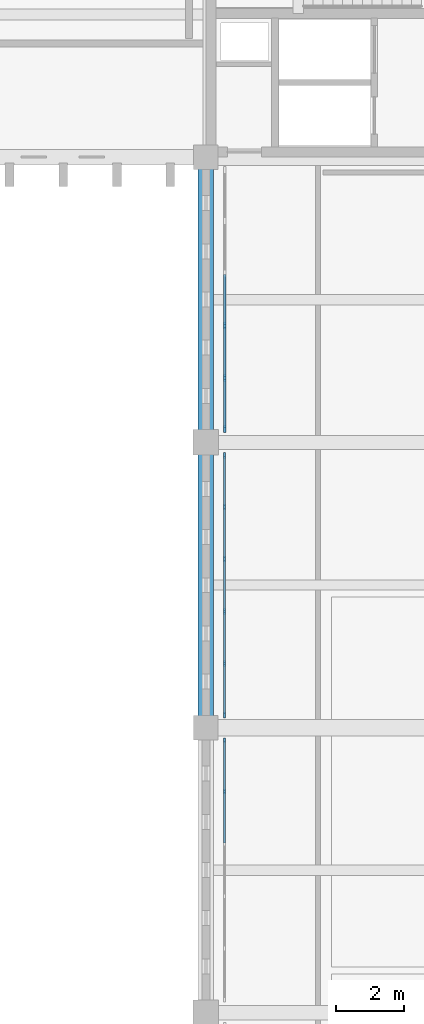
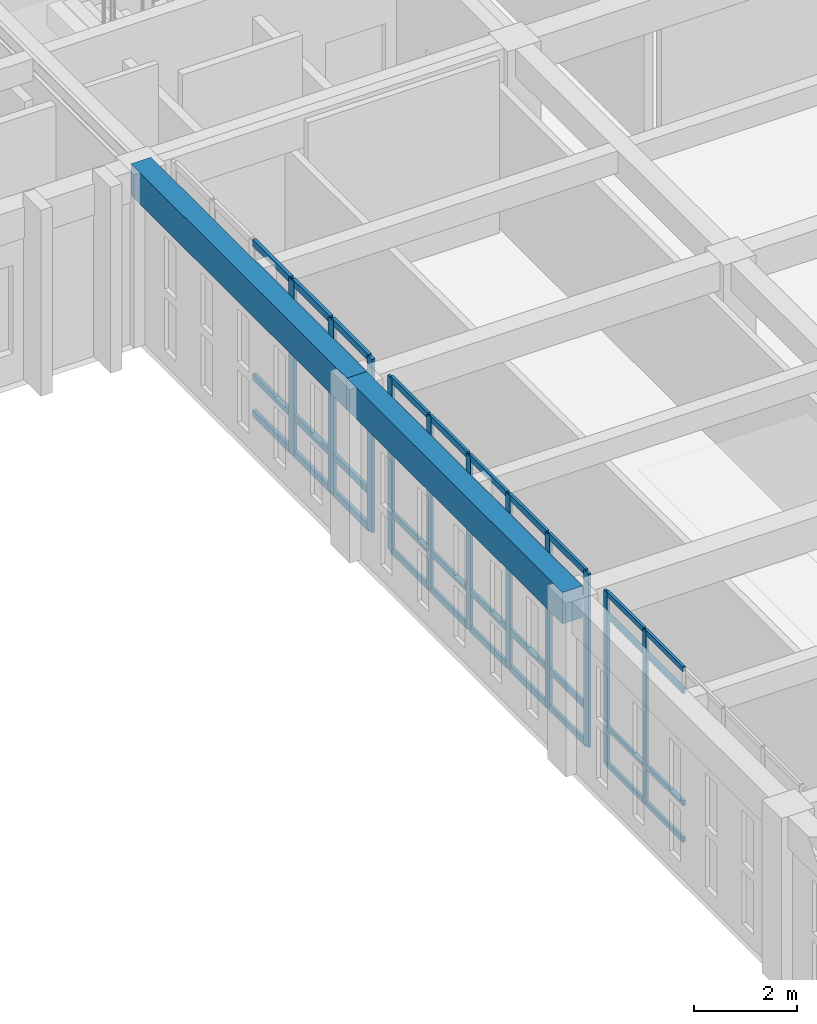
# One storey, part 92 of 192: 51 members, 2 beams, 3 elements without a shape of their own.
"""IFC4 building model written with IfcOpenShell, lengths in metres."""

from ifc_helpers import new_model, si_unit, direction, frame, origin, origin_2d, place, context, subcontext, project, spatial, rectangle, extrude, material, layer, layer_set, material_profile, profile_set, type_object, element, aggregate, save


model = new_model("IFC4")

# Units and contexts
model_context = context("Model", 3, precision=1e-05, world=origin(), true_north=direction((0.0, 1.0)))
body_context = subcontext(model_context, "Body", "Model", "MODEL_VIEW")
ifc_project = project(units=[si_unit("LENGTHUNIT", "METRE"), si_unit("AREAUNIT", "SQUARE_METRE"), si_unit("VOLUMEUNIT", "CUBIC_METRE"), si_unit("PLANEANGLEUNIT", "RADIAN"), si_unit("MASSUNIT", "GRAM", prefix="KILO")], contexts=[model_context])

# Site, building, storey
site_placement = place(None, origin())
site = spatial("IfcSite", under=ifc_project, at=site_placement, CompositionType="ELEMENT")
building_placement = place(site_placement, origin())
building = spatial("IfcBuilding", under=site, at=building_placement, Name="Kveldsbrygga Polytechnic", CompositionType="ELEMENT")
storey_placement = place(building_placement, frame((0.0, 0.0, 5.43994140625)))
storey = spatial("IfcBuildingStorey", under=building, at=storey_placement, Name="L01", CompositionType="ELEMENT", Elevation=5.43994140625)

# Beams
ifc_material_1 = material(Name="Concrete C35/45", Category="concrete")
ifc_material_profile_1 = material_profile(ifc_material_1, rectangle(XDim=0.449951171875, YDim=0.75, at=origin_2d()), Name="RC 450x750")
ifc_profile_set_1 = profile_set([ifc_material_profile_1], Name="Concrete C35/45")
beam_type = type_object("IfcBeamType", Name="BM-RC-450x750", PredefinedType="BEAM", material=ifc_profile_set_1)
beam_1_placement = place(storey_placement, frame((126.0, 67.199951171875, 3.7451171875), z_axis=(0.0, 1.0, 0.0), x_axis=(-1.0, 0.0, 0.0)))
element("IfcBeam", 1, at=beam_1_placement, inside=storey, type_object=beam_type, Name="Primary Beam BMY-L01-15-08to09", PredefinedType="BEAM", context=body_context, shape_type="SweptSolid", body=[
    extrude(rectangle(XDim=0.449951171875, YDim=0.75, at=origin_2d()), origin(), (0.0, 0.0, 1.0), 8.400146484375),
])
beam_2_placement = place(storey_placement, frame((126.0, 75.60009765625, 3.7451171875), z_axis=(0.0, 1.0, 0.0), x_axis=(-1.0, 0.0, 0.0)))
element("IfcBeam", 2, at=beam_2_placement, inside=storey, type_object=beam_type, Name="Primary Beam BMY-L01-15-09to10", PredefinedType="BEAM", context=body_context, shape_type="SweptSolid", body=[
    extrude(rectangle(XDim=0.449951171875, YDim=0.75, at=origin_2d()), origin(), (0.0, 0.0, 1.0), 8.39990234375),
])

# Curtain wall, members
ifc_material_2 = material(Name="Anodised aluminium AW-6060", Category="aluminium")
ifc_layer_1 = layer(ifc_material_2, 0.179931640625)
ifc_layer_set_1 = layer_set([ifc_layer_1], Name="Anodised aluminium AW-6060")
curtain_wall_type_1 = type_object("IfcCurtainWallType", Name="CW-CONC-A", PredefinedType="USERDEFINED", material=ifc_layer_set_1)
curtain_wall_1_placement = place(storey_placement, origin())
curtain_wall_1 = element("IfcCurtainWall", 3, at=curtain_wall_1_placement, inside=storey, type_object=curtain_wall_type_1, Name="Curtain Wall CW-L01-Y-15-07", ObjectType="UNITISED CURTAIN WALL", PredefinedType="USERDEFINED")
ifc_material_profile_2 = material_profile(ifc_material_2, rectangle(XDim=0.06005859375, YDim=0.139892578125, at=origin_2d()), Name="ALU 60x140")
ifc_profile_set_2 = profile_set([ifc_material_profile_2], Name="Anodised aluminium AW-6060")
member_type_1 = type_object("IfcMemberType", Name="CW-MUL-140", PredefinedType="MULLION", material=ifc_profile_set_2)
member_1_placement = place(storey_placement, frame((126.550048828125, 65.31591796875, 0.0), z_axis=(0.0, 0.0, 1.0), x_axis=(-1.0, 0.0, 0.0)))
member_1 = element("IfcMember", 4, at=member_1_placement, type_object=member_type_1, Name="CW-01 mullion 5", PredefinedType="MULLION", context=body_context, shape_type="SweptSolid", body=[
    extrude(rectangle(XDim=0.06005859375, YDim=0.139892578125, at=origin_2d()), origin(), (0.0, 0.0, 1.0), 4.1201171875),
])
member_2_placement = place(storey_placement, frame((126.550048828125, 66.824951171875, 0.0), z_axis=(0.0, 0.0, 1.0), x_axis=(-1.0, 0.0, 0.0)))
member_2 = element("IfcMember", 5, at=member_2_placement, type_object=member_type_1, Name="CW-01 mullion 6", PredefinedType="MULLION", context=body_context, shape_type="SweptSolid", body=[
    extrude(rectangle(XDim=0.06005859375, YDim=0.139892578125, at=origin_2d()), origin(), (0.0, 0.0, 1.0), 4.1201171875),
])

ifc_layer_2 = layer(ifc_material_2, 0.199951171875)
ifc_layer_set_2 = layer_set([ifc_layer_2], Name="Anodised aluminium AW-6060")
curtain_wall_type_2 = type_object("IfcCurtainWallType", Name="CW-CONC-B", PredefinedType="USERDEFINED", material=ifc_layer_set_2)
curtain_wall_2_placement = place(storey_placement, origin())
curtain_wall_2 = element("IfcCurtainWall", 6, at=curtain_wall_2_placement, inside=storey, type_object=curtain_wall_type_2, Name="Curtain Wall CW-L01-Y-15-08", ObjectType="UNITISED CURTAIN WALL", PredefinedType="USERDEFINED")
ifc_material_profile_3 = material_profile(ifc_material_2, rectangle(XDim=0.06005859375, YDim=0.179931640625, at=origin_2d()), Name="ALU 60x180")
ifc_profile_set_3 = profile_set([ifc_material_profile_3], Name="Anodised aluminium AW-6060")
member_type_2 = type_object("IfcMemberType", Name="CW-MUL-180", PredefinedType="MULLION", material=ifc_profile_set_3)
member_3_placement = place(storey_placement, frame((126.550048828125, 67.574951171875, 0.0), z_axis=(0.0, 0.0, 1.0), x_axis=(-1.0, 0.0, 0.0)))
member_3 = element("IfcMember", 7, at=member_3_placement, type_object=member_type_2, Name="CW-02 mullion 1", PredefinedType="MULLION", context=body_context, shape_type="SweptSolid", body=[
    extrude(rectangle(XDim=0.06005859375, YDim=0.179931640625, at=origin_2d()), origin(), (0.0, 0.0, 1.0), 4.1201171875),
])
member_4_placement = place(storey_placement, frame((126.550048828125, 69.083984375, 0.0), z_axis=(0.0, 0.0, 1.0), x_axis=(-1.0, 0.0, 0.0)))
member_4 = element("IfcMember", 8, at=member_4_placement, type_object=member_type_2, Name="CW-02 mullion 2", PredefinedType="MULLION", context=body_context, shape_type="SweptSolid", body=[
    extrude(rectangle(XDim=0.06005859375, YDim=0.179931640625, at=origin_2d()), origin(), (0.0, 0.0, 1.0), 4.1201171875),
])
member_5_placement = place(storey_placement, frame((126.550048828125, 70.623046875, 0.0), z_axis=(0.0, 0.0, 1.0), x_axis=(-1.0, 0.0, 0.0)))
member_5 = element("IfcMember", 9, at=member_5_placement, type_object=member_type_2, Name="CW-02 mullion 3", PredefinedType="MULLION", context=body_context, shape_type="SweptSolid", body=[
    extrude(rectangle(XDim=0.06005859375, YDim=0.179931640625, at=origin_2d()), origin(), (0.0, 0.0, 1.0), 4.1201171875),
])
member_6_placement = place(storey_placement, frame((126.550048828125, 72.162109375, 0.0), z_axis=(0.0, 0.0, 1.0), x_axis=(-1.0, 0.0, 0.0)))
member_6 = element("IfcMember", 10, at=member_6_placement, type_object=member_type_2, Name="CW-02 mullion 4", PredefinedType="MULLION", context=body_context, shape_type="SweptSolid", body=[
    extrude(rectangle(XDim=0.06005859375, YDim=0.179931640625, at=origin_2d()), origin(), (0.0, 0.0, 1.0), 4.1201171875),
])
member_7_placement = place(storey_placement, frame((126.550048828125, 73.700927734375, 0.0), z_axis=(0.0, 0.0, 1.0), x_axis=(-1.0, 0.0, 0.0)))
member_7 = element("IfcMember", 11, at=member_7_placement, type_object=member_type_2, Name="CW-02 mullion 5", PredefinedType="MULLION", context=body_context, shape_type="SweptSolid", body=[
    extrude(rectangle(XDim=0.06005859375, YDim=0.179931640625, at=origin_2d()), origin(), (0.0, 0.0, 1.0), 4.1201171875),
])
member_8_placement = place(storey_placement, frame((126.550048828125, 75.2099609375, 0.0), z_axis=(0.0, 0.0, 1.0), x_axis=(-1.0, 0.0, 0.0)))
member_8 = element("IfcMember", 12, at=member_8_placement, type_object=member_type_2, Name="CW-02 mullion 6", PredefinedType="MULLION", context=body_context, shape_type="SweptSolid", body=[
    extrude(rectangle(XDim=0.06005859375, YDim=0.179931640625, at=origin_2d()), origin(), (0.0, 0.0, 1.0), 4.1201171875),
])

ifc_layer_3 = layer(ifc_material_2, 0.159912109375)
ifc_layer_set_3 = layer_set([ifc_layer_3], Name="Anodised aluminium AW-6060")
curtain_wall_type_3 = type_object("IfcCurtainWallType", Name="CW-CLER-C", PredefinedType="USERDEFINED", material=ifc_layer_set_3)
curtain_wall_3_placement = place(storey_placement, origin())
curtain_wall_3 = element("IfcCurtainWall", 13, at=curtain_wall_3_placement, inside=storey, type_object=curtain_wall_type_3, Name="Curtain Wall CW-L01-Y-15-09", ObjectType="STICK CURTAIN WALL", PredefinedType="USERDEFINED")
ifc_material_profile_4 = material_profile(ifc_material_2, rectangle(XDim=0.074951171875, YDim=0.199951171875, at=origin_2d()), Name="ALU 75x200")
ifc_profile_set_4 = profile_set([ifc_material_profile_4], Name="Anodised aluminium AW-6060")
member_type_3 = type_object("IfcMemberType", Name="CW-MUL-200", PredefinedType="MULLION", material=ifc_profile_set_4)
member_9_placement = place(storey_placement, frame((126.550048828125, 75.99755859375, 0.0), z_axis=(0.0, 0.0, 1.0), x_axis=(-1.0, 0.0, 0.0)))
member_9 = element("IfcMember", 14, at=member_9_placement, type_object=member_type_3, Name="CW-03 mullion 1", PredefinedType="MULLION", context=body_context, shape_type="SweptSolid", body=[
    extrude(rectangle(XDim=0.074951171875, YDim=0.199951171875, at=origin_2d()), origin(), (0.0, 0.0, 1.0), 4.1201171875),
])
member_10_placement = place(storey_placement, frame((126.550048828125, 77.4990234375, 0.0), z_axis=(0.0, 0.0, 1.0), x_axis=(-1.0, 0.0, 0.0)))
member_10 = element("IfcMember", 15, at=member_10_placement, type_object=member_type_3, Name="CW-03 mullion 2", PredefinedType="MULLION", context=body_context, shape_type="SweptSolid", body=[
    extrude(rectangle(XDim=0.074951171875, YDim=0.199951171875, at=origin_2d()), origin(), (0.0, 0.0, 1.0), 4.1201171875),
])
member_11_placement = place(storey_placement, frame((126.550048828125, 79.0380859375, 0.0), z_axis=(0.0, 0.0, 1.0), x_axis=(-1.0, 0.0, 0.0)))
member_11 = element("IfcMember", 16, at=member_11_placement, type_object=member_type_3, Name="CW-03 mullion 3", PredefinedType="MULLION", context=body_context, shape_type="SweptSolid", body=[
    extrude(rectangle(XDim=0.074951171875, YDim=0.199951171875, at=origin_2d()), origin(), (0.0, 0.0, 1.0), 4.1201171875),
])

# Member
ifc_material_profile_5 = material_profile(ifc_material_2, rectangle(XDim=0.06005859375, YDim=0.1201171875, at=origin_2d()), Name="ALU 60x120")
ifc_profile_set_5 = profile_set([ifc_material_profile_5], Name="Anodised aluminium AW-6060")
member_type_4 = type_object("IfcMemberType", Name="CW-TRN-120", PredefinedType="USERDEFINED", material=ifc_profile_set_5)
member_12_placement = place(storey_placement, frame((126.550048828125, 63.806884765625, 0.030029296875), z_axis=(0.0, 1.0, 0.0), x_axis=(-1.0, 0.0, 0.0)))
member_12 = element("IfcMember", 17, at=member_12_placement, type_object=member_type_4, Name="CW-01 transom 4.1", ObjectType="TRANSOM", PredefinedType="USERDEFINED", context=body_context, shape_type="SweptSolid", body=[
    extrude(rectangle(XDim=0.06005859375, YDim=0.1201171875, at=origin_2d()), origin(), (0.0, 0.0, 1.0), 1.47900390625),
])

member_13_placement = place(storey_placement, frame((126.550048828125, 63.806884765625, 0.900146484375), z_axis=(0.0, 1.0, 0.0), x_axis=(-1.0, 0.0, 0.0)))
member_13 = element("IfcMember", 18, at=member_13_placement, type_object=member_type_4, Name="CW-01 transom 4.2", ObjectType="TRANSOM", PredefinedType="USERDEFINED", context=body_context, shape_type="SweptSolid", body=[
    extrude(rectangle(XDim=0.06005859375, YDim=0.1201171875, at=origin_2d()), origin(), (0.0, 0.0, 1.0), 1.47900390625),
])

member_14_placement = place(storey_placement, frame((126.550048828125, 63.806884765625, 3.570068359375), z_axis=(0.0, 1.0, 0.0), x_axis=(-1.0, 0.0, 0.0)))
member_14 = element("IfcMember", 19, at=member_14_placement, type_object=member_type_4, Name="CW-01 transom 4.3", ObjectType="TRANSOM", PredefinedType="USERDEFINED", context=body_context, shape_type="SweptSolid", body=[
    extrude(rectangle(XDim=0.06005859375, YDim=0.1201171875, at=origin_2d()), origin(), (0.0, 0.0, 1.0), 1.47900390625),
])

member_15_placement = place(storey_placement, frame((126.550048828125, 63.806884765625, 4.090087890625), z_axis=(0.0, 1.0, 0.0), x_axis=(-1.0, 0.0, 0.0)))
member_15 = element("IfcMember", 20, at=member_15_placement, type_object=member_type_4, Name="CW-01 transom 4.4", ObjectType="TRANSOM", PredefinedType="USERDEFINED", context=body_context, shape_type="SweptSolid", body=[
    extrude(rectangle(XDim=0.06005859375, YDim=0.1201171875, at=origin_2d()), origin(), (0.0, 0.0, 1.0), 1.47900390625),
])

member_16_placement = place(storey_placement, frame((126.550048828125, 65.345947265625, 0.030029296875), z_axis=(0.0, 1.0, 0.0), x_axis=(-1.0, 0.0, 0.0)))
member_16 = element("IfcMember", 21, at=member_16_placement, type_object=member_type_4, Name="CW-01 transom 5.1", ObjectType="TRANSOM", PredefinedType="USERDEFINED", context=body_context, shape_type="SweptSolid", body=[
    extrude(rectangle(XDim=0.06005859375, YDim=0.1201171875, at=origin_2d()), origin(), (0.0, 0.0, 1.0), 1.448974609375),
])

member_17_placement = place(storey_placement, frame((126.550048828125, 65.345947265625, 0.900146484375), z_axis=(0.0, 1.0, 0.0), x_axis=(-1.0, 0.0, 0.0)))
member_17 = element("IfcMember", 22, at=member_17_placement, type_object=member_type_4, Name="CW-01 transom 5.2", ObjectType="TRANSOM", PredefinedType="USERDEFINED", context=body_context, shape_type="SweptSolid", body=[
    extrude(rectangle(XDim=0.06005859375, YDim=0.1201171875, at=origin_2d()), origin(), (0.0, 0.0, 1.0), 1.448974609375),
])

member_18_placement = place(storey_placement, frame((126.550048828125, 65.345947265625, 3.570068359375), z_axis=(0.0, 1.0, 0.0), x_axis=(-1.0, 0.0, 0.0)))
member_18 = element("IfcMember", 23, at=member_18_placement, type_object=member_type_4, Name="CW-01 transom 5.3", ObjectType="TRANSOM", PredefinedType="USERDEFINED", context=body_context, shape_type="SweptSolid", body=[
    extrude(rectangle(XDim=0.06005859375, YDim=0.1201171875, at=origin_2d()), origin(), (0.0, 0.0, 1.0), 1.448974609375),
])

member_19_placement = place(storey_placement, frame((126.550048828125, 65.345947265625, 4.090087890625), z_axis=(0.0, 1.0, 0.0), x_axis=(-1.0, 0.0, 0.0)))
member_19 = element("IfcMember", 24, at=member_19_placement, type_object=member_type_4, Name="CW-01 transom 5.4", ObjectType="TRANSOM", PredefinedType="USERDEFINED", context=body_context, shape_type="SweptSolid", body=[
    extrude(rectangle(XDim=0.06005859375, YDim=0.1201171875, at=origin_2d()), origin(), (0.0, 0.0, 1.0), 1.448974609375),
])

aggregate(curtain_wall_1, [member_1, member_2, member_12, member_13, member_14, member_15, member_16, member_17, member_18, member_19])

ifc_material_profile_6 = material_profile(ifc_material_2, rectangle(XDim=0.06005859375, YDim=0.14990234375, at=origin_2d()), Name="ALU 60x150")
ifc_profile_set_6 = profile_set([ifc_material_profile_6], Name="Anodised aluminium AW-6060")
member_type_5 = type_object("IfcMemberType", Name="CW-TRN-150", PredefinedType="USERDEFINED", material=ifc_profile_set_6)
member_20_placement = place(storey_placement, frame((126.550048828125, 67.60498046875, 0.030029296875), z_axis=(0.0, 1.0, 0.0), x_axis=(-1.0, 0.0, 0.0)))
member_20 = element("IfcMember", 25, at=member_20_placement, type_object=member_type_5, Name="CW-02 transom 1.1", ObjectType="TRANSOM", PredefinedType="USERDEFINED", context=body_context, shape_type="SweptSolid", body=[
    extrude(rectangle(XDim=0.06005859375, YDim=0.14990234375, at=origin_2d()), origin(), (0.0, 0.0, 1.0), 1.448974609375),
])

member_21_placement = place(storey_placement, frame((126.550048828125, 67.60498046875, 0.900146484375), z_axis=(0.0, 1.0, 0.0), x_axis=(-1.0, 0.0, 0.0)))
member_21 = element("IfcMember", 26, at=member_21_placement, type_object=member_type_5, Name="CW-02 transom 1.2", ObjectType="TRANSOM", PredefinedType="USERDEFINED", context=body_context, shape_type="SweptSolid", body=[
    extrude(rectangle(XDim=0.06005859375, YDim=0.14990234375, at=origin_2d()), origin(), (0.0, 0.0, 1.0), 1.448974609375),
])

member_22_placement = place(storey_placement, frame((126.550048828125, 67.60498046875, 3.570068359375), z_axis=(0.0, 1.0, 0.0), x_axis=(-1.0, 0.0, 0.0)))
member_22 = element("IfcMember", 27, at=member_22_placement, type_object=member_type_5, Name="CW-02 transom 1.3", ObjectType="TRANSOM", PredefinedType="USERDEFINED", context=body_context, shape_type="SweptSolid", body=[
    extrude(rectangle(XDim=0.06005859375, YDim=0.14990234375, at=origin_2d()), origin(), (0.0, 0.0, 1.0), 1.448974609375),
])

member_23_placement = place(storey_placement, frame((126.550048828125, 67.60498046875, 4.090087890625), z_axis=(0.0, 1.0, 0.0), x_axis=(-1.0, 0.0, 0.0)))
member_23 = element("IfcMember", 28, at=member_23_placement, type_object=member_type_5, Name="CW-02 transom 1.4", ObjectType="TRANSOM", PredefinedType="USERDEFINED", context=body_context, shape_type="SweptSolid", body=[
    extrude(rectangle(XDim=0.06005859375, YDim=0.14990234375, at=origin_2d()), origin(), (0.0, 0.0, 1.0), 1.448974609375),
])

member_24_placement = place(storey_placement, frame((126.550048828125, 69.114013671875, 0.030029296875), z_axis=(0.0, 1.0, 0.0), x_axis=(-1.0, 0.0, 0.0)))
member_24 = element("IfcMember", 29, at=member_24_placement, type_object=member_type_5, Name="CW-02 transom 2.1", ObjectType="TRANSOM", PredefinedType="USERDEFINED", context=body_context, shape_type="SweptSolid", body=[
    extrude(rectangle(XDim=0.06005859375, YDim=0.14990234375, at=origin_2d()), origin(), (0.0, 0.0, 1.0), 1.47900390625),
])

member_25_placement = place(storey_placement, frame((126.550048828125, 69.114013671875, 0.900146484375), z_axis=(0.0, 1.0, 0.0), x_axis=(-1.0, 0.0, 0.0)))
member_25 = element("IfcMember", 30, at=member_25_placement, type_object=member_type_5, Name="CW-02 transom 2.2", ObjectType="TRANSOM", PredefinedType="USERDEFINED", context=body_context, shape_type="SweptSolid", body=[
    extrude(rectangle(XDim=0.06005859375, YDim=0.14990234375, at=origin_2d()), origin(), (0.0, 0.0, 1.0), 1.47900390625),
])

member_26_placement = place(storey_placement, frame((126.550048828125, 69.114013671875, 3.570068359375), z_axis=(0.0, 1.0, 0.0), x_axis=(-1.0, 0.0, 0.0)))
member_26 = element("IfcMember", 31, at=member_26_placement, type_object=member_type_5, Name="CW-02 transom 2.3", ObjectType="TRANSOM", PredefinedType="USERDEFINED", context=body_context, shape_type="SweptSolid", body=[
    extrude(rectangle(XDim=0.06005859375, YDim=0.14990234375, at=origin_2d()), origin(), (0.0, 0.0, 1.0), 1.47900390625),
])

member_27_placement = place(storey_placement, frame((126.550048828125, 69.114013671875, 4.090087890625), z_axis=(0.0, 1.0, 0.0), x_axis=(-1.0, 0.0, 0.0)))
member_27 = element("IfcMember", 32, at=member_27_placement, type_object=member_type_5, Name="CW-02 transom 2.4", ObjectType="TRANSOM", PredefinedType="USERDEFINED", context=body_context, shape_type="SweptSolid", body=[
    extrude(rectangle(XDim=0.06005859375, YDim=0.14990234375, at=origin_2d()), origin(), (0.0, 0.0, 1.0), 1.47900390625),
])

member_28_placement = place(storey_placement, frame((126.550048828125, 70.653076171875, 0.030029296875), z_axis=(0.0, 1.0, 0.0), x_axis=(-1.0, 0.0, 0.0)))
member_28 = element("IfcMember", 33, at=member_28_placement, type_object=member_type_5, Name="CW-02 transom 3.1", ObjectType="TRANSOM", PredefinedType="USERDEFINED", context=body_context, shape_type="SweptSolid", body=[
    extrude(rectangle(XDim=0.06005859375, YDim=0.14990234375, at=origin_2d()), origin(), (0.0, 0.0, 1.0), 1.47900390625),
])

member_29_placement = place(storey_placement, frame((126.550048828125, 70.653076171875, 0.900146484375), z_axis=(0.0, 1.0, 0.0), x_axis=(-1.0, 0.0, 0.0)))
member_29 = element("IfcMember", 34, at=member_29_placement, type_object=member_type_5, Name="CW-02 transom 3.2", ObjectType="TRANSOM", PredefinedType="USERDEFINED", context=body_context, shape_type="SweptSolid", body=[
    extrude(rectangle(XDim=0.06005859375, YDim=0.14990234375, at=origin_2d()), origin(), (0.0, 0.0, 1.0), 1.47900390625),
])

member_30_placement = place(storey_placement, frame((126.550048828125, 70.653076171875, 3.570068359375), z_axis=(0.0, 1.0, 0.0), x_axis=(-1.0, 0.0, 0.0)))
member_30 = element("IfcMember", 35, at=member_30_placement, type_object=member_type_5, Name="CW-02 transom 3.3", ObjectType="TRANSOM", PredefinedType="USERDEFINED", context=body_context, shape_type="SweptSolid", body=[
    extrude(rectangle(XDim=0.06005859375, YDim=0.14990234375, at=origin_2d()), origin(), (0.0, 0.0, 1.0), 1.47900390625),
])

member_31_placement = place(storey_placement, frame((126.550048828125, 70.653076171875, 4.090087890625), z_axis=(0.0, 1.0, 0.0), x_axis=(-1.0, 0.0, 0.0)))
member_31 = element("IfcMember", 36, at=member_31_placement, type_object=member_type_5, Name="CW-02 transom 3.4", ObjectType="TRANSOM", PredefinedType="USERDEFINED", context=body_context, shape_type="SweptSolid", body=[
    extrude(rectangle(XDim=0.06005859375, YDim=0.14990234375, at=origin_2d()), origin(), (0.0, 0.0, 1.0), 1.47900390625),
])

member_32_placement = place(storey_placement, frame((126.550048828125, 72.19189453125, 0.030029296875), z_axis=(0.0, 1.0, 0.0), x_axis=(-1.0, 0.0, 0.0)))
member_32 = element("IfcMember", 37, at=member_32_placement, type_object=member_type_5, Name="CW-02 transom 4.1", ObjectType="TRANSOM", PredefinedType="USERDEFINED", context=body_context, shape_type="SweptSolid", body=[
    extrude(rectangle(XDim=0.06005859375, YDim=0.14990234375, at=origin_2d()), origin(), (0.0, 0.0, 1.0), 1.47900390625),
])

member_33_placement = place(storey_placement, frame((126.550048828125, 72.19189453125, 0.900146484375), z_axis=(0.0, 1.0, 0.0), x_axis=(-1.0, 0.0, 0.0)))
member_33 = element("IfcMember", 38, at=member_33_placement, type_object=member_type_5, Name="CW-02 transom 4.2", ObjectType="TRANSOM", PredefinedType="USERDEFINED", context=body_context, shape_type="SweptSolid", body=[
    extrude(rectangle(XDim=0.06005859375, YDim=0.14990234375, at=origin_2d()), origin(), (0.0, 0.0, 1.0), 1.47900390625),
])

member_34_placement = place(storey_placement, frame((126.550048828125, 72.19189453125, 3.570068359375), z_axis=(0.0, 1.0, 0.0), x_axis=(-1.0, 0.0, 0.0)))
member_34 = element("IfcMember", 39, at=member_34_placement, type_object=member_type_5, Name="CW-02 transom 4.3", ObjectType="TRANSOM", PredefinedType="USERDEFINED", context=body_context, shape_type="SweptSolid", body=[
    extrude(rectangle(XDim=0.06005859375, YDim=0.14990234375, at=origin_2d()), origin(), (0.0, 0.0, 1.0), 1.47900390625),
])

member_35_placement = place(storey_placement, frame((126.550048828125, 72.19189453125, 4.090087890625), z_axis=(0.0, 1.0, 0.0), x_axis=(-1.0, 0.0, 0.0)))
member_35 = element("IfcMember", 40, at=member_35_placement, type_object=member_type_5, Name="CW-02 transom 4.4", ObjectType="TRANSOM", PredefinedType="USERDEFINED", context=body_context, shape_type="SweptSolid", body=[
    extrude(rectangle(XDim=0.06005859375, YDim=0.14990234375, at=origin_2d()), origin(), (0.0, 0.0, 1.0), 1.47900390625),
])

member_36_placement = place(storey_placement, frame((126.550048828125, 73.73095703125, 0.030029296875), z_axis=(0.0, 1.0, 0.0), x_axis=(-1.0, 0.0, 0.0)))
member_36 = element("IfcMember", 41, at=member_36_placement, type_object=member_type_5, Name="CW-02 transom 5.1", ObjectType="TRANSOM", PredefinedType="USERDEFINED", context=body_context, shape_type="SweptSolid", body=[
    extrude(rectangle(XDim=0.06005859375, YDim=0.14990234375, at=origin_2d()), origin(), (0.0, 0.0, 1.0), 1.448974609375),
])

member_37_placement = place(storey_placement, frame((126.550048828125, 73.73095703125, 0.900146484375), z_axis=(0.0, 1.0, 0.0), x_axis=(-1.0, 0.0, 0.0)))
member_37 = element("IfcMember", 42, at=member_37_placement, type_object=member_type_5, Name="CW-02 transom 5.2", ObjectType="TRANSOM", PredefinedType="USERDEFINED", context=body_context, shape_type="SweptSolid", body=[
    extrude(rectangle(XDim=0.06005859375, YDim=0.14990234375, at=origin_2d()), origin(), (0.0, 0.0, 1.0), 1.448974609375),
])

member_38_placement = place(storey_placement, frame((126.550048828125, 73.73095703125, 3.570068359375), z_axis=(0.0, 1.0, 0.0), x_axis=(-1.0, 0.0, 0.0)))
member_38 = element("IfcMember", 43, at=member_38_placement, type_object=member_type_5, Name="CW-02 transom 5.3", ObjectType="TRANSOM", PredefinedType="USERDEFINED", context=body_context, shape_type="SweptSolid", body=[
    extrude(rectangle(XDim=0.06005859375, YDim=0.14990234375, at=origin_2d()), origin(), (0.0, 0.0, 1.0), 1.448974609375),
])

member_39_placement = place(storey_placement, frame((126.550048828125, 73.73095703125, 4.090087890625), z_axis=(0.0, 1.0, 0.0), x_axis=(-1.0, 0.0, 0.0)))
member_39 = element("IfcMember", 44, at=member_39_placement, type_object=member_type_5, Name="CW-02 transom 5.4", ObjectType="TRANSOM", PredefinedType="USERDEFINED", context=body_context, shape_type="SweptSolid", body=[
    extrude(rectangle(XDim=0.06005859375, YDim=0.14990234375, at=origin_2d()), origin(), (0.0, 0.0, 1.0), 1.448974609375),
])

aggregate(curtain_wall_2, [member_3, member_4, member_5, member_6, member_7, member_8, member_20, member_21, member_22, member_23, member_24, member_25, member_26, member_27, member_28, member_29, member_30, member_31, member_32, member_33, member_34, member_35, member_36, member_37, member_38, member_39])

ifc_material_profile_7 = material_profile(ifc_material_2, rectangle(XDim=0.074951171875, YDim=0.159912109375, at=origin_2d()), Name="ALU 75x160")
ifc_profile_set_7 = profile_set([ifc_material_profile_7], Name="Anodised aluminium AW-6060")
member_type_6 = type_object("IfcMemberType", Name="CW-TRN-160", PredefinedType="USERDEFINED", material=ifc_profile_set_7)
member_40_placement = place(storey_placement, frame((126.550048828125, 76.034912109375, 0.03759765625), z_axis=(0.0, 1.0, 0.0), x_axis=(-1.0, 0.0, 0.0)))
member_40 = element("IfcMember", 45, at=member_40_placement, type_object=member_type_6, Name="CW-03 transom 1.1", ObjectType="TRANSOM", PredefinedType="USERDEFINED", context=body_context, shape_type="SweptSolid", body=[
    extrude(rectangle(XDim=0.074951171875, YDim=0.159912109375, at=origin_2d()), origin(), (0.0, 0.0, 1.0), 1.426513671875),
])

member_41_placement = place(storey_placement, frame((126.550048828125, 76.034912109375, 0.900146484375), z_axis=(0.0, 1.0, 0.0), x_axis=(-1.0, 0.0, 0.0)))
member_41 = element("IfcMember", 46, at=member_41_placement, type_object=member_type_6, Name="CW-03 transom 1.2", ObjectType="TRANSOM", PredefinedType="USERDEFINED", context=body_context, shape_type="SweptSolid", body=[
    extrude(rectangle(XDim=0.074951171875, YDim=0.159912109375, at=origin_2d()), origin(), (0.0, 0.0, 1.0), 1.426513671875),
])

member_42_placement = place(storey_placement, frame((126.550048828125, 76.034912109375, 3.570068359375), z_axis=(0.0, 1.0, 0.0), x_axis=(-1.0, 0.0, 0.0)))
member_42 = element("IfcMember", 47, at=member_42_placement, type_object=member_type_6, Name="CW-03 transom 1.3", ObjectType="TRANSOM", PredefinedType="USERDEFINED", context=body_context, shape_type="SweptSolid", body=[
    extrude(rectangle(XDim=0.074951171875, YDim=0.159912109375, at=origin_2d()), origin(), (0.0, 0.0, 1.0), 1.426513671875),
])

member_43_placement = place(storey_placement, frame((126.550048828125, 76.034912109375, 4.08251953125), z_axis=(0.0, 1.0, 0.0), x_axis=(-1.0, 0.0, 0.0)))
member_43 = element("IfcMember", 48, at=member_43_placement, type_object=member_type_6, Name="CW-03 transom 1.4", ObjectType="TRANSOM", PredefinedType="USERDEFINED", context=body_context, shape_type="SweptSolid", body=[
    extrude(rectangle(XDim=0.074951171875, YDim=0.159912109375, at=origin_2d()), origin(), (0.0, 0.0, 1.0), 1.426513671875),
])

member_44_placement = place(storey_placement, frame((126.550048828125, 77.53662109375, 0.03759765625), z_axis=(0.0, 1.0, 0.0), x_axis=(-1.0, 0.0, 0.0)))
member_44 = element("IfcMember", 49, at=member_44_placement, type_object=member_type_6, Name="CW-03 transom 2.1", ObjectType="TRANSOM", PredefinedType="USERDEFINED", context=body_context, shape_type="SweptSolid", body=[
    extrude(rectangle(XDim=0.074951171875, YDim=0.159912109375, at=origin_2d()), origin(), (0.0, 0.0, 1.0), 1.4638671875),
])

member_45_placement = place(storey_placement, frame((126.550048828125, 77.53662109375, 0.900146484375), z_axis=(0.0, 1.0, 0.0), x_axis=(-1.0, 0.0, 0.0)))
member_45 = element("IfcMember", 50, at=member_45_placement, type_object=member_type_6, Name="CW-03 transom 2.2", ObjectType="TRANSOM", PredefinedType="USERDEFINED", context=body_context, shape_type="SweptSolid", body=[
    extrude(rectangle(XDim=0.074951171875, YDim=0.159912109375, at=origin_2d()), origin(), (0.0, 0.0, 1.0), 1.4638671875),
])

member_46_placement = place(storey_placement, frame((126.550048828125, 77.53662109375, 3.570068359375), z_axis=(0.0, 1.0, 0.0), x_axis=(-1.0, 0.0, 0.0)))
member_46 = element("IfcMember", 51, at=member_46_placement, type_object=member_type_6, Name="CW-03 transom 2.3", ObjectType="TRANSOM", PredefinedType="USERDEFINED", context=body_context, shape_type="SweptSolid", body=[
    extrude(rectangle(XDim=0.074951171875, YDim=0.159912109375, at=origin_2d()), origin(), (0.0, 0.0, 1.0), 1.4638671875),
])

member_47_placement = place(storey_placement, frame((126.550048828125, 77.53662109375, 4.08251953125), z_axis=(0.0, 1.0, 0.0), x_axis=(-1.0, 0.0, 0.0)))
member_47 = element("IfcMember", 52, at=member_47_placement, type_object=member_type_6, Name="CW-03 transom 2.4", ObjectType="TRANSOM", PredefinedType="USERDEFINED", context=body_context, shape_type="SweptSolid", body=[
    extrude(rectangle(XDim=0.074951171875, YDim=0.159912109375, at=origin_2d()), origin(), (0.0, 0.0, 1.0), 1.4638671875),
])

member_48_placement = place(storey_placement, frame((126.550048828125, 79.075439453125, 0.03759765625), z_axis=(0.0, 1.0, 0.0), x_axis=(-1.0, 0.0, 0.0)))
member_48 = element("IfcMember", 53, at=member_48_placement, type_object=member_type_6, Name="CW-03 transom 3.1", ObjectType="TRANSOM", PredefinedType="USERDEFINED", context=body_context, shape_type="SweptSolid", body=[
    extrude(rectangle(XDim=0.074951171875, YDim=0.159912109375, at=origin_2d()), origin(), (0.0, 0.0, 1.0), 1.464111328125),
])

member_49_placement = place(storey_placement, frame((126.550048828125, 79.075439453125, 0.900146484375), z_axis=(0.0, 1.0, 0.0), x_axis=(-1.0, 0.0, 0.0)))
member_49 = element("IfcMember", 54, at=member_49_placement, type_object=member_type_6, Name="CW-03 transom 3.2", ObjectType="TRANSOM", PredefinedType="USERDEFINED", context=body_context, shape_type="SweptSolid", body=[
    extrude(rectangle(XDim=0.074951171875, YDim=0.159912109375, at=origin_2d()), origin(), (0.0, 0.0, 1.0), 1.464111328125),
])

member_50_placement = place(storey_placement, frame((126.550048828125, 79.075439453125, 3.570068359375), z_axis=(0.0, 1.0, 0.0), x_axis=(-1.0, 0.0, 0.0)))
member_50 = element("IfcMember", 55, at=member_50_placement, type_object=member_type_6, Name="CW-03 transom 3.3", ObjectType="TRANSOM", PredefinedType="USERDEFINED", context=body_context, shape_type="SweptSolid", body=[
    extrude(rectangle(XDim=0.074951171875, YDim=0.159912109375, at=origin_2d()), origin(), (0.0, 0.0, 1.0), 1.464111328125),
])

member_51_placement = place(storey_placement, frame((126.550048828125, 79.075439453125, 4.08251953125), z_axis=(0.0, 1.0, 0.0), x_axis=(-1.0, 0.0, 0.0)))
member_51 = element("IfcMember", 56, at=member_51_placement, type_object=member_type_6, Name="CW-03 transom 3.4", ObjectType="TRANSOM", PredefinedType="USERDEFINED", context=body_context, shape_type="SweptSolid", body=[
    extrude(rectangle(XDim=0.074951171875, YDim=0.159912109375, at=origin_2d()), origin(), (0.0, 0.0, 1.0), 1.464111328125),
])

aggregate(curtain_wall_3, [member_9, member_10, member_11, member_40, member_41, member_42, member_43, member_44, member_45, member_46, member_47, member_48, member_49, member_50, member_51])

save(model, "model.ifc")
